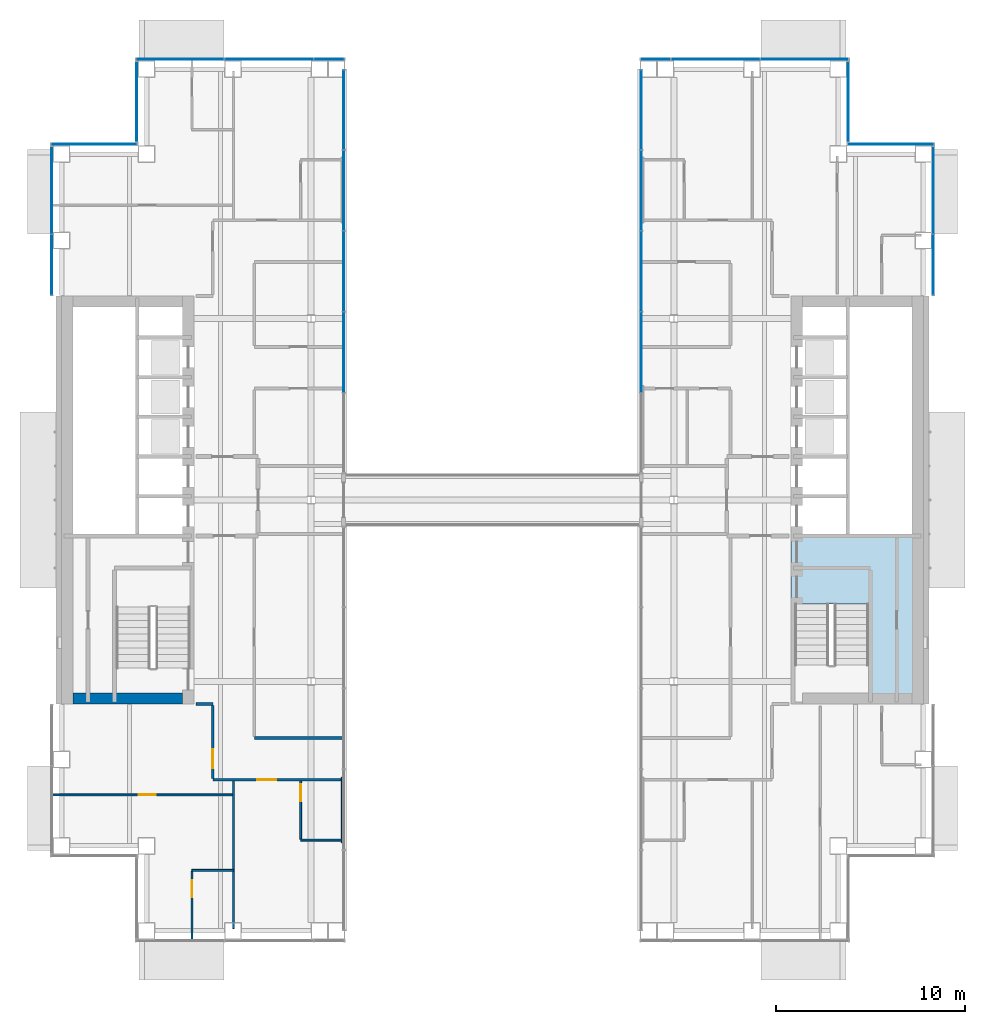
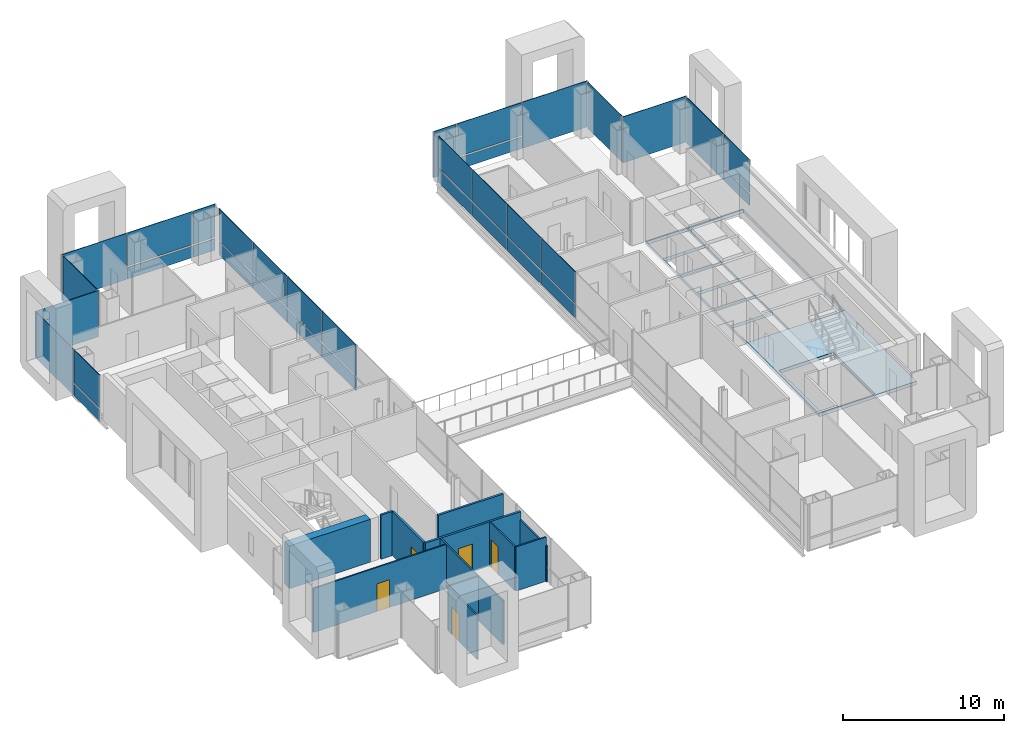
# One storey, part 11 of 20: 35 plates, 12 walls, 5 doors, 1 slab, 5 openings, 10 elements without a shape of their own.
"""IFC4 building model written with IfcOpenShell, lengths in metres."""

from ifc_helpers import new_model, si_unit, direction, frame, frame_2d, origin, origin_2d, place, context, subcontext, project, spatial, polyline, rectangle, outline, extrude, material, layer, layer_set, type_object, element, fill, aggregate, save


model = new_model("IFC4")

# Units and contexts
model_context = context("Model", 3, precision=1e-05, world=origin(), true_north=direction((0.0, 1.0)))
body_context = subcontext(model_context, "Body", "Model", "MODEL_VIEW")
ifc_project = project(units=[si_unit("LENGTHUNIT", "METRE"), si_unit("AREAUNIT", "SQUARE_METRE"), si_unit("VOLUMEUNIT", "CUBIC_METRE"), si_unit("PLANEANGLEUNIT", "RADIAN"), si_unit("MASSUNIT", "GRAM", prefix="KILO")], contexts=[model_context])

# Site, building, storey
site_placement = place(None, origin())
site = spatial("IfcSite", under=ifc_project, at=site_placement, CompositionType="ELEMENT")
building_placement = place(site_placement, origin())
building = spatial("IfcBuilding", under=site, at=building_placement, Name="Cobrizo Arcos Hotel Tower", CompositionType="ELEMENT")
storey_placement = place(building_placement, frame((0.0, 0.0, 124.0)))
storey = spatial("IfcBuildingStorey", under=building, at=storey_placement, Name="L31", CompositionType="ELEMENT", Elevation=124.0)

# Curtain wall, plate
ifc_material_1 = material(Name="Aluminium 6063-T6 anodised bronze", Category="aluminium")
curtain_wall_type_1 = type_object("IfcCurtainWallType", Name="CW-A guest facade", PredefinedType="NOTDEFINED", material=ifc_material_1)
curtain_wall_1_placement = place(storey_placement, origin())
curtain_wall_1 = element("IfcCurtainWall", 1, at=curtain_wall_1_placement, inside=storey, type_object=curtain_wall_type_1, Name="CW-A L31 E face", PredefinedType="NOTDEFINED")
ifc_material_2 = material(Name="Glass clear laminated low-e", Category="glass")
ifc_layer_1 = layer(ifc_material_2, 0.0400390625)
ifc_layer_set_1 = layer_set([ifc_layer_1], Name="CW-A glass panel")
plate_type_1 = type_object("IfcPlateType", Name="CW-A glass panel", PredefinedType="CURTAIN_PANEL", material=ifc_layer_set_1)
plate_1_placement = place(storey_placement, frame((23.324951171875, 12.4462890625, 0.990234375), z_axis=(0.0, 0.0, 1.0), x_axis=(0.0, 1.0, 0.0)))
plate_1 = element("IfcPlate", 2, at=plate_1_placement, type_object=plate_type_1, Name="CW-A glass panel 1173", PredefinedType="CURTAIN_PANEL", context=body_context, shape_type="SweptSolid", body=[
    extrude(rectangle(XDim=3.172607421875, YDim=0.0400390625, at=origin_2d()), origin(), (0.0, 0.0, 1.0), 2.510009765625),
])

curtain_wall_2_placement = place(storey_placement, origin())
curtain_wall_2 = element("IfcCurtainWall", 3, at=curtain_wall_2_placement, inside=storey, type_object=curtain_wall_type_1, Name="CW-A L31 N face", PredefinedType="NOTDEFINED")
plate_2_placement = place(storey_placement, frame((11.8125, 23.324951171875, 0.990234375), z_axis=(0.0, 0.0, 1.0), x_axis=(-1.0, 0.0, 0.0)))
plate_2 = element("IfcPlate", 4, at=plate_2_placement, type_object=plate_type_1, Name="CW-A glass panel 1178", PredefinedType="CURTAIN_PANEL", context=body_context, shape_type="SweptSolid", body=[
    extrude(rectangle(XDim=4.6650390625, YDim=0.0400390625, at=origin_2d()), origin(), (0.0, 0.0, 1.0), 2.510009765625),
])

# Curtain wall, plates
curtain_wall_3_placement = place(storey_placement, origin())
curtain_wall_3 = element("IfcCurtainWall", 5, at=curtain_wall_3_placement, inside=storey, type_object=curtain_wall_type_1, Name="CW-A L31 N face", PredefinedType="NOTDEFINED")
plate_3_placement = place(storey_placement, frame((-8.639892578125, 23.324951171875, 0.990234375), z_axis=(0.0, 0.0, 1.0), x_axis=(-1.0, 0.0, 0.0)))
plate_3 = element("IfcPlate", 6, at=plate_3_placement, type_object=plate_type_1, Name="CW-A glass panel 1180", PredefinedType="CURTAIN_PANEL", context=body_context, shape_type="SweptSolid", body=[
    extrude(rectangle(XDim=1.56005859375, YDim=0.0400390625, at=origin_2d()), origin(), (0.0, 0.0, 1.0), 2.510009765625),
])
plate_4_placement = place(storey_placement, frame((-11.8125, 23.324951171875, 0.990234375), z_axis=(0.0, 0.0, 1.0), x_axis=(-1.0, 0.0, 0.0)))
plate_4 = element("IfcPlate", 7, at=plate_4_placement, type_object=plate_type_1, Name="CW-A glass panel 1181", PredefinedType="CURTAIN_PANEL", context=body_context, shape_type="SweptSolid", body=[
    extrude(rectangle(XDim=4.6650390625, YDim=0.0400390625, at=origin_2d()), origin(), (0.0, 0.0, 1.0), 2.510009765625),
])

# Curtain wall, plate
curtain_wall_4_placement = place(storey_placement, origin())
curtain_wall_4 = element("IfcCurtainWall", 8, at=curtain_wall_4_placement, inside=storey, type_object=curtain_wall_type_1, Name="CW-A L31 W face", PredefinedType="NOTDEFINED")
plate_5_placement = place(storey_placement, frame((-23.324951171875, 12.4462890625, 0.990234375), z_axis=(0.0, 0.0, 1.0), x_axis=(0.0, -1.0, 0.0)))
plate_5 = element("IfcPlate", 9, at=plate_5_placement, type_object=plate_type_1, Name="CW-A glass panel 1186", PredefinedType="CURTAIN_PANEL", context=body_context, shape_type="SweptSolid", body=[
    extrude(rectangle(XDim=3.172607421875, YDim=0.0400390625, at=origin_2d()), origin(), (0.0, 0.0, 1.0), 2.510009765625),
])

# Plate
ifc_material_3 = material(Name="Aluminium composite panel pale metal", Category="aluminium")
ifc_layer_2 = layer(ifc_material_3, 0.0400390625)
ifc_layer_set_2 = layer_set([ifc_layer_2], Name="CW-A spandrel panel")
plate_type_2 = type_object("IfcPlateType", Name="CW-A spandrel panel", PredefinedType="CURTAIN_PANEL", material=ifc_layer_set_2)
plate_6_placement = place(storey_placement, frame((23.324951171875, 12.4462890625, 0.0), z_axis=(0.0, 0.0, 1.0), x_axis=(0.0, 1.0, 0.0)))
plate_6 = element("IfcPlate", 10, at=plate_6_placement, type_object=plate_type_2, Name="CW-A spandrel panel 1173", PredefinedType="CURTAIN_PANEL", context=body_context, shape_type="SweptSolid", body=[
    extrude(rectangle(XDim=3.172607421875, YDim=0.0400390625, at=origin_2d()), origin(), (0.0, 0.0, 1.0), 0.8701171875),
])

plate_7_placement = place(storey_placement, frame((23.324951171875, 16.391357421875, 0.0), z_axis=(0.0, 0.0, 1.0), x_axis=(0.0, 1.0, 0.0)))
plate_7 = element("IfcPlate", 11, at=plate_7_placement, type_object=plate_type_2, Name="CW-A spandrel panel 1174", PredefinedType="CURTAIN_PANEL", context=body_context, shape_type="SweptSolid", body=[
    extrude(rectangle(XDim=4.597412109375, YDim=0.0400390625, at=origin_2d()), origin(), (0.0, 0.0, 1.0), 3.5),
])

aggregate(curtain_wall_1, [plate_6, plate_1, plate_7])

# Curtain wall, plate
curtain_wall_5_placement = place(storey_placement, origin())
curtain_wall_5 = element("IfcCurtainWall", 12, at=curtain_wall_5_placement, inside=storey, type_object=curtain_wall_type_1, Name="CW-A L31 N face", PredefinedType="NOTDEFINED")
plate_8_placement = place(storey_placement, frame((21.074951171875, 18.824951171875, 0.0), z_axis=(0.0, 0.0, 1.0), x_axis=(-1.0, 0.0, 0.0)))
plate_8 = element("IfcPlate", 13, at=plate_8_placement, type_object=plate_type_2, Name="CW-A spandrel panel 1175", PredefinedType="CURTAIN_PANEL", context=body_context, shape_type="SweptSolid", body=[
    extrude(rectangle(XDim=4.530029296875, YDim=0.0400390625, at=origin_2d()), origin(), (0.0, 0.0, 1.0), 3.5),
])
aggregate(curtain_wall_5, [plate_8])

curtain_wall_6_placement = place(storey_placement, origin())
curtain_wall_6 = element("IfcCurtainWall", 14, at=curtain_wall_6_placement, inside=storey, type_object=curtain_wall_type_1, Name="CW-A L31 E face", PredefinedType="NOTDEFINED")
plate_9_placement = place(storey_placement, frame((18.824951171875, 21.074951171875, 0.0), z_axis=(0.0, 0.0, 1.0), x_axis=(0.0, 1.0, 0.0)))
plate_9 = element("IfcPlate", 15, at=plate_9_placement, type_object=plate_type_2, Name="CW-A spandrel panel 1176", PredefinedType="CURTAIN_PANEL", context=body_context, shape_type="SweptSolid", body=[
    extrude(rectangle(XDim=4.22998046875, YDim=0.0400390625, at=origin_2d()), origin(), (0.0, 0.0, 1.0), 3.5),
])
aggregate(curtain_wall_6, [plate_9])

# Plate
plate_10_placement = place(storey_placement, frame((16.5224609375, 23.324951171875, 0.0), z_axis=(0.0, 0.0, 1.0), x_axis=(-1.0, 0.0, 0.0)))
plate_10 = element("IfcPlate", 16, at=plate_10_placement, type_object=plate_type_2, Name="CW-A spandrel panel 1177", PredefinedType="CURTAIN_PANEL", context=body_context, shape_type="SweptSolid", body=[
    extrude(rectangle(XDim=4.635009765625, YDim=0.0400390625, at=origin_2d()), origin(), (0.0, 0.0, 1.0), 3.5),
])

plate_11_placement = place(storey_placement, frame((11.8125, 23.324951171875, 0.0), z_axis=(0.0, 0.0, 1.0), x_axis=(-1.0, 0.0, 0.0)))
plate_11 = element("IfcPlate", 17, at=plate_11_placement, type_object=plate_type_2, Name="CW-A spandrel panel 1178", PredefinedType="CURTAIN_PANEL", context=body_context, shape_type="SweptSolid", body=[
    extrude(rectangle(XDim=4.6650390625, YDim=0.0400390625, at=origin_2d()), origin(), (0.0, 0.0, 1.0), 0.8701171875),
])

plate_12_placement = place(storey_placement, frame((8.639892578125, 23.324951171875, 0.0), z_axis=(0.0, 0.0, 1.0), x_axis=(-1.0, 0.0, 0.0)))
plate_12 = element("IfcPlate", 18, at=plate_12_placement, type_object=plate_type_2, Name="CW-A spandrel panel 1179", PredefinedType="CURTAIN_PANEL", context=body_context, shape_type="SweptSolid", body=[
    extrude(rectangle(XDim=1.56005859375, YDim=0.0400390625, at=origin_2d()), origin(), (0.0, 0.0, 1.0), 3.5),
])

aggregate(curtain_wall_2, [plate_10, plate_11, plate_2, plate_12])

plate_13_placement = place(storey_placement, frame((-8.639892578125, 23.324951171875, 0.0), z_axis=(0.0, 0.0, 1.0), x_axis=(-1.0, 0.0, 0.0)))
plate_13 = element("IfcPlate", 19, at=plate_13_placement, type_object=plate_type_2, Name="CW-A spandrel panel 1180", PredefinedType="CURTAIN_PANEL", context=body_context, shape_type="SweptSolid", body=[
    extrude(rectangle(XDim=1.56005859375, YDim=0.0400390625, at=origin_2d()), origin(), (0.0, 0.0, 1.0), 0.8701171875),
])

plate_14_placement = place(storey_placement, frame((-11.8125, 23.324951171875, 0.0), z_axis=(0.0, 0.0, 1.0), x_axis=(-1.0, 0.0, 0.0)))
plate_14 = element("IfcPlate", 20, at=plate_14_placement, type_object=plate_type_2, Name="CW-A spandrel panel 1181", PredefinedType="CURTAIN_PANEL", context=body_context, shape_type="SweptSolid", body=[
    extrude(rectangle(XDim=4.6650390625, YDim=0.0400390625, at=origin_2d()), origin(), (0.0, 0.0, 1.0), 0.8701171875),
])

plate_15_placement = place(storey_placement, frame((-16.5224609375, 23.324951171875, 0.0), z_axis=(0.0, 0.0, 1.0), x_axis=(-1.0, 0.0, 0.0)))
plate_15 = element("IfcPlate", 21, at=plate_15_placement, type_object=plate_type_2, Name="CW-A spandrel panel 1182", PredefinedType="CURTAIN_PANEL", context=body_context, shape_type="SweptSolid", body=[
    extrude(rectangle(XDim=4.635009765625, YDim=0.0400390625, at=origin_2d()), origin(), (0.0, 0.0, 1.0), 3.5),
])

aggregate(curtain_wall_3, [plate_13, plate_3, plate_14, plate_4, plate_15])

# Curtain wall, plate
curtain_wall_7_placement = place(storey_placement, origin())
curtain_wall_7 = element("IfcCurtainWall", 22, at=curtain_wall_7_placement, inside=storey, type_object=curtain_wall_type_1, Name="CW-A L31 W face", PredefinedType="NOTDEFINED")
plate_16_placement = place(storey_placement, frame((-18.824951171875, 21.074951171875, 0.0), z_axis=(0.0, 0.0, 1.0), x_axis=(0.0, -1.0, 0.0)))
plate_16 = element("IfcPlate", 23, at=plate_16_placement, type_object=plate_type_2, Name="CW-A spandrel panel 1183", PredefinedType="CURTAIN_PANEL", context=body_context, shape_type="SweptSolid", body=[
    extrude(rectangle(XDim=4.22998046875, YDim=0.0400390625, at=origin_2d()), origin(), (0.0, 0.0, 1.0), 3.5),
])
aggregate(curtain_wall_7, [plate_16])

curtain_wall_8_placement = place(storey_placement, origin())
curtain_wall_8 = element("IfcCurtainWall", 24, at=curtain_wall_8_placement, inside=storey, type_object=curtain_wall_type_1, Name="CW-A L31 N face", PredefinedType="NOTDEFINED")
plate_17_placement = place(storey_placement, frame((-21.074951171875, 18.824951171875, 0.0), z_axis=(0.0, 0.0, 1.0), x_axis=(-1.0, 0.0, 0.0)))
plate_17 = element("IfcPlate", 25, at=plate_17_placement, type_object=plate_type_2, Name="CW-A spandrel panel 1184", PredefinedType="CURTAIN_PANEL", context=body_context, shape_type="SweptSolid", body=[
    extrude(rectangle(XDim=4.530029296875, YDim=0.0400390625, at=origin_2d()), origin(), (0.0, 0.0, 1.0), 3.5),
])
aggregate(curtain_wall_8, [plate_17])

# Plate
plate_18_placement = place(storey_placement, frame((-23.324951171875, 16.391357421875, 0.0), z_axis=(0.0, 0.0, 1.0), x_axis=(0.0, -1.0, 0.0)))
plate_18 = element("IfcPlate", 26, at=plate_18_placement, type_object=plate_type_2, Name="CW-A spandrel panel 1185", PredefinedType="CURTAIN_PANEL", context=body_context, shape_type="SweptSolid", body=[
    extrude(rectangle(XDim=4.597412109375, YDim=0.0400390625, at=origin_2d()), origin(), (0.0, 0.0, 1.0), 3.5),
])

plate_19_placement = place(storey_placement, frame((-23.324951171875, 12.4462890625, 0.0), z_axis=(0.0, 0.0, 1.0), x_axis=(0.0, -1.0, 0.0)))
plate_19 = element("IfcPlate", 27, at=plate_19_placement, type_object=plate_type_2, Name="CW-A spandrel panel 1186", PredefinedType="CURTAIN_PANEL", context=body_context, shape_type="SweptSolid", body=[
    extrude(rectangle(XDim=3.172607421875, YDim=0.0400390625, at=origin_2d()), origin(), (0.0, 0.0, 1.0), 0.8701171875),
])

aggregate(curtain_wall_4, [plate_18, plate_19, plate_5])

# Curtain wall, plates
curtain_wall_type_2 = type_object("IfcCurtainWallType", Name="CW-F void screen", PredefinedType="NOTDEFINED", material=ifc_material_1)
curtain_wall_9_placement = place(storey_placement, origin())
curtain_wall_9 = element("IfcCurtainWall", 28, at=curtain_wall_9_placement, inside=storey, type_object=curtain_wall_type_2, Name="CW-F L31 void screen B", PredefinedType="NOTDEFINED")
ifc_layer_3 = layer(ifc_material_2, 0.0400390625)
ifc_layer_set_3 = layer_set([ifc_layer_3], Name="CW-F glass panel")
plate_type_3 = type_object("IfcPlateType", Name="CW-F glass panel", PredefinedType="CURTAIN_PANEL", material=ifc_layer_set_3)
plate_20_placement = place(storey_placement, frame((7.875, 7.820068359375, 0.0), z_axis=(0.0, 0.0, 1.0), x_axis=(0.0, 1.0, 0.0)))
plate_20 = element("IfcPlate", 29, at=plate_20_placement, type_object=plate_type_3, Name="CW-F glass panel 2612", PredefinedType="CURTAIN_PANEL", context=body_context, shape_type="SweptSolid", body=[
    extrude(rectangle(XDim=4.219970703125, YDim=0.0400390625, at=origin_2d()), origin(), (0.0, 0.0, 1.0), 0.989990234375),
])
plate_21_placement = place(storey_placement, frame((7.875, 7.820068359375, 1.10986328125), z_axis=(0.0, 0.0, 1.0), x_axis=(0.0, 1.0, 0.0)))
plate_21 = element("IfcPlate", 30, at=plate_21_placement, type_object=plate_type_3, Name="CW-F glass panel 2612", PredefinedType="CURTAIN_PANEL", context=body_context, shape_type="SweptSolid", body=[
    extrude(rectangle(XDim=4.219970703125, YDim=0.0400390625, at=origin_2d()), origin(), (0.0, 0.0, 1.0), 2.389892578125),
])
plate_22_placement = place(storey_placement, frame((7.875, 12.10009765625, 0.0), z_axis=(0.0, 0.0, 1.0), x_axis=(0.0, 1.0, 0.0)))
plate_22 = element("IfcPlate", 31, at=plate_22_placement, type_object=plate_type_3, Name="CW-F glass panel 2613", PredefinedType="CURTAIN_PANEL", context=body_context, shape_type="SweptSolid", body=[
    extrude(rectangle(XDim=4.219970703125, YDim=0.0400390625, at=origin_2d()), origin(), (0.0, 0.0, 1.0), 0.989990234375),
])
plate_23_placement = place(storey_placement, frame((7.875, 12.10009765625, 1.10986328125), z_axis=(0.0, 0.0, 1.0), x_axis=(0.0, 1.0, 0.0)))
plate_23 = element("IfcPlate", 32, at=plate_23_placement, type_object=plate_type_3, Name="CW-F glass panel 2613", PredefinedType="CURTAIN_PANEL", context=body_context, shape_type="SweptSolid", body=[
    extrude(rectangle(XDim=4.219970703125, YDim=0.0400390625, at=origin_2d()), origin(), (0.0, 0.0, 1.0), 2.389892578125),
])
plate_24_placement = place(storey_placement, frame((7.875, 16.3798828125, 0.0), z_axis=(0.0, 0.0, 1.0), x_axis=(0.0, 1.0, 0.0)))
plate_24 = element("IfcPlate", 33, at=plate_24_placement, type_object=plate_type_3, Name="CW-F glass panel 2614", PredefinedType="CURTAIN_PANEL", context=body_context, shape_type="SweptSolid", body=[
    extrude(rectangle(XDim=4.219970703125, YDim=0.0400390625, at=origin_2d()), origin(), (0.0, 0.0, 1.0), 0.989990234375),
])
plate_25_placement = place(storey_placement, frame((7.875, 16.3798828125, 1.10986328125), z_axis=(0.0, 0.0, 1.0), x_axis=(0.0, 1.0, 0.0)))
plate_25 = element("IfcPlate", 34, at=plate_25_placement, type_object=plate_type_3, Name="CW-F glass panel 2614", PredefinedType="CURTAIN_PANEL", context=body_context, shape_type="SweptSolid", body=[
    extrude(rectangle(XDim=4.219970703125, YDim=0.0400390625, at=origin_2d()), origin(), (0.0, 0.0, 1.0), 2.389892578125),
])
plate_26_placement = place(storey_placement, frame((7.875, 20.64501953125, 0.0), z_axis=(0.0, 0.0, 1.0), x_axis=(0.0, 1.0, 0.0)))
plate_26 = element("IfcPlate", 35, at=plate_26_placement, type_object=plate_type_3, Name="CW-F glass panel 2615", PredefinedType="CURTAIN_PANEL", context=body_context, shape_type="SweptSolid", body=[
    extrude(rectangle(XDim=4.18994140625, YDim=0.0400390625, at=origin_2d()), origin(), (0.0, 0.0, 1.0), 0.989990234375),
])
plate_27_placement = place(storey_placement, frame((7.875, 20.64501953125, 1.10986328125), z_axis=(0.0, 0.0, 1.0), x_axis=(0.0, 1.0, 0.0)))
plate_27 = element("IfcPlate", 36, at=plate_27_placement, type_object=plate_type_3, Name="CW-F glass panel 2615", PredefinedType="CURTAIN_PANEL", context=body_context, shape_type="SweptSolid", body=[
    extrude(rectangle(XDim=4.18994140625, YDim=0.0400390625, at=origin_2d()), origin(), (0.0, 0.0, 1.0), 2.389892578125),
])
aggregate(curtain_wall_9, [plate_20, plate_21, plate_22, plate_23, plate_24, plate_25, plate_26, plate_27])

curtain_wall_10_placement = place(storey_placement, origin())
curtain_wall_10 = element("IfcCurtainWall", 37, at=curtain_wall_10_placement, inside=storey, type_object=curtain_wall_type_2, Name="CW-F L31 void screen B", PredefinedType="NOTDEFINED")
plate_28_placement = place(storey_placement, frame((-7.875, 20.64501953125, 0.0), z_axis=(0.0, 0.0, 1.0), x_axis=(0.0, -1.0, 0.0)))
plate_28 = element("IfcPlate", 38, at=plate_28_placement, type_object=plate_type_3, Name="CW-F glass panel 2616", PredefinedType="CURTAIN_PANEL", context=body_context, shape_type="SweptSolid", body=[
    extrude(rectangle(XDim=4.18994140625, YDim=0.0400390625, at=origin_2d()), origin(), (0.0, 0.0, 1.0), 0.989990234375),
])
plate_29_placement = place(storey_placement, frame((-7.875, 20.64501953125, 1.10986328125), z_axis=(0.0, 0.0, 1.0), x_axis=(0.0, -1.0, 0.0)))
plate_29 = element("IfcPlate", 39, at=plate_29_placement, type_object=plate_type_3, Name="CW-F glass panel 2616", PredefinedType="CURTAIN_PANEL", context=body_context, shape_type="SweptSolid", body=[
    extrude(rectangle(XDim=4.18994140625, YDim=0.0400390625, at=origin_2d()), origin(), (0.0, 0.0, 1.0), 2.389892578125),
])
plate_30_placement = place(storey_placement, frame((-7.875, 16.3798828125, 0.0), z_axis=(0.0, 0.0, 1.0), x_axis=(0.0, -1.0, 0.0)))
plate_30 = element("IfcPlate", 40, at=plate_30_placement, type_object=plate_type_3, Name="CW-F glass panel 2617", PredefinedType="CURTAIN_PANEL", context=body_context, shape_type="SweptSolid", body=[
    extrude(rectangle(XDim=4.219970703125, YDim=0.0400390625, at=origin_2d()), origin(), (0.0, 0.0, 1.0), 0.989990234375),
])
plate_31_placement = place(storey_placement, frame((-7.875, 16.3798828125, 1.10986328125), z_axis=(0.0, 0.0, 1.0), x_axis=(0.0, -1.0, 0.0)))
plate_31 = element("IfcPlate", 41, at=plate_31_placement, type_object=plate_type_3, Name="CW-F glass panel 2617", PredefinedType="CURTAIN_PANEL", context=body_context, shape_type="SweptSolid", body=[
    extrude(rectangle(XDim=4.219970703125, YDim=0.0400390625, at=origin_2d()), origin(), (0.0, 0.0, 1.0), 2.389892578125),
])
plate_32_placement = place(storey_placement, frame((-7.875, 12.10009765625, 0.0), z_axis=(0.0, 0.0, 1.0), x_axis=(0.0, -1.0, 0.0)))
plate_32 = element("IfcPlate", 42, at=plate_32_placement, type_object=plate_type_3, Name="CW-F glass panel 2618", PredefinedType="CURTAIN_PANEL", context=body_context, shape_type="SweptSolid", body=[
    extrude(rectangle(XDim=4.219970703125, YDim=0.0400390625, at=origin_2d()), origin(), (0.0, 0.0, 1.0), 0.989990234375),
])
plate_33_placement = place(storey_placement, frame((-7.875, 12.10009765625, 1.10986328125), z_axis=(0.0, 0.0, 1.0), x_axis=(0.0, -1.0, 0.0)))
plate_33 = element("IfcPlate", 43, at=plate_33_placement, type_object=plate_type_3, Name="CW-F glass panel 2618", PredefinedType="CURTAIN_PANEL", context=body_context, shape_type="SweptSolid", body=[
    extrude(rectangle(XDim=4.219970703125, YDim=0.0400390625, at=origin_2d()), origin(), (0.0, 0.0, 1.0), 2.389892578125),
])
plate_34_placement = place(storey_placement, frame((-7.875, 7.820068359375, 0.0), z_axis=(0.0, 0.0, 1.0), x_axis=(0.0, -1.0, 0.0)))
plate_34 = element("IfcPlate", 44, at=plate_34_placement, type_object=plate_type_3, Name="CW-F glass panel 2619", PredefinedType="CURTAIN_PANEL", context=body_context, shape_type="SweptSolid", body=[
    extrude(rectangle(XDim=4.219970703125, YDim=0.0400390625, at=origin_2d()), origin(), (0.0, 0.0, 1.0), 0.989990234375),
])
plate_35_placement = place(storey_placement, frame((-7.875, 7.820068359375, 1.10986328125), z_axis=(0.0, 0.0, 1.0), x_axis=(0.0, -1.0, 0.0)))
plate_35 = element("IfcPlate", 45, at=plate_35_placement, type_object=plate_type_3, Name="CW-F glass panel 2619", PredefinedType="CURTAIN_PANEL", context=body_context, shape_type="SweptSolid", body=[
    extrude(rectangle(XDim=4.219970703125, YDim=0.0400390625, at=origin_2d()), origin(), (0.0, 0.0, 1.0), 2.389892578125),
])
aggregate(curtain_wall_10, [plate_28, plate_29, plate_30, plate_31, plate_32, plate_33, plate_34, plate_35])

# Slab
ifc_material_4 = material(Name="Concrete f'c 50 MPa", Category="concrete")
ifc_layer_4 = layer(ifc_material_4, 0.25)
ifc_layer_set_4 = layer_set([ifc_layer_4], Name="RC core floor slab 250 f'c 50")
slab_type = type_object("IfcSlabType", Name="RC core floor slab 250 f'c 50", PredefinedType="FLOOR", material=ifc_layer_set_4)
slab_placement = place(storey_placement, frame((0.0, 0.0, -0.25)))
element("IfcSlab", 46, at=slab_placement, inside=storey, type_object=slab_type, Name="Core floor slab CS5, east core, L31", PredefinedType="FLOOR", context=body_context, shape_type="SweptSolid", body=[
    extrude(outline(polyline([(15.800048828125, 10.800048828125), (22.800048828125, 10.800048828125), (22.800048828125, -10.800048828125), (15.800048828125, -10.800048828125), (15.800048828125, 10.800048828125)]), holes=[polyline([(19.89794921875, -10.697998046875), (19.89794921875, -5.501953125), (16.001953125, -5.501953125), (16.001953125, -10.697998046875), (19.89794921875, -10.697998046875)]), polyline([(15.802001953125, 0.197998046875), (15.802001953125, -1.89794921875), (18.798095703125, -1.89794921875), (18.798095703125, 0.197998046875), (15.802001953125, 0.197998046875)]), polyline([(18.798095703125, 2.298095703125), (15.802001953125, 2.298095703125), (15.802001953125, 0.201904296875), (18.798095703125, 0.201904296875), (18.798095703125, 2.298095703125)]), polyline([(18.798095703125, 4.39794921875), (15.802001953125, 4.39794921875), (15.802001953125, 2.302001953125), (18.798095703125, 2.302001953125), (18.798095703125, 4.39794921875)]), polyline([(22.798095703125, 10.697998046875), (18.802001953125, 10.697998046875), (18.802001953125, -1.89794921875), (22.798095703125, -1.89794921875), (22.798095703125, 10.697998046875)]), polyline([(18.798095703125, 6.498046875), (15.802001953125, 6.498046875), (15.802001953125, 4.402099609375), (18.798095703125, 4.402099609375), (18.798095703125, 6.498046875)]), polyline([(18.798095703125, 8.597900390625), (15.802001953125, 8.597900390625), (15.802001953125, 6.501953125), (18.798095703125, 6.501953125), (18.798095703125, 8.597900390625)]), polyline([(18.798095703125, 10.697998046875), (15.802001953125, 10.697998046875), (15.802001953125, 8.60205078125), (18.798095703125, 8.60205078125), (18.798095703125, 10.697998046875)])]), origin(), (0.0, 0.0, 1.0), 0.25),
])

# Wall, opening, door
ifc_material_5 = material(Name="Gypsum board partition")
ifc_layer_5 = layer(ifc_material_5, 0.14990234375)
ifc_layer_set_5 = layer_set([ifc_layer_5], Name="Corridor wall EI 60 150")
wall_type_1 = type_object("IfcWallType", Name="Corridor wall EI 60 150", PredefinedType="PARTITIONING", material=ifc_layer_set_5)
wall_1_placement = place(storey_placement, frame((-14.800048828125, -14.800048828125, 0.0), z_axis=(0.0, 0.0, 1.0), x_axis=(1.0, 0.0, 0.0)))
wall_1 = element("IfcWall", 47, at=wall_1_placement, inside=storey, type_object=wall_type_1, Name="Partition 005", PredefinedType="PARTITIONING", context=body_context, shape_type="SweptSolid", body=[
    extrude(rectangle(XDim=6.85009765625, YDim=0.14990234375, at=frame_2d((3.425048828125, 0.0))), origin(), (0.0, 0.0, 1.0), 3.35009765625),
])
opening_1_placement = place(wall_1_placement, frame((2.363037109375, 0.0, 0.0)))
opening_1 = element("IfcOpeningElement", 48, at=opening_1_placement, cuts=wall_1, Name="Opening GD-04", PredefinedType="OPENING", context=body_context, shape_type="SweptSolid", body=[
    extrude(rectangle(XDim=1.0, YDim=2.10009765625, at=frame_2d((0.5, 1.050048828125))), frame((0.0, 0.0869140625, 0.0), z_axis=(0.0, -1.0, 0.0), x_axis=(1.0, 0.0, 0.0)), (0.0, 0.0, 1.0), 0.173828125),
])
ifc_material_6 = material(Name="Timber door leaf", Category="wood")
door_type_1 = type_object("IfcDoorType", Name="Guest room door FD30S 1000x2100", OperationType="SINGLE_SWING_LEFT", PredefinedType="DOOR", material=ifc_material_6)
door_1_placement = place(opening_1_placement, origin())
door_1 = element("IfcDoor", 49, at=door_1_placement, inside=storey, type_object=door_type_1, Name="Door GD-04", OperationType="SINGLE_SWING_RIGHT", OverallHeight=2.10009765625, OverallWidth=1.0, PredefinedType="DOOR", context=body_context, shape_type="SweptSolid", body=[
    extrude(rectangle(XDim=1.0, YDim=2.10009765625, at=frame_2d((0.5, 1.050048828125))), frame((0.0, 0.02490234375, 0.0), z_axis=(0.0, -1.0, 0.0), x_axis=(1.0, 0.0, 0.0)), (0.0, 0.0, 1.0), 0.050048828125),
])
fill(opening_1, door_1)

# Walls
wall_2_placement = place(storey_placement, frame((-12.60009765625, -12.60009765625, 0.0), z_axis=(0.0, 0.0, 1.0), x_axis=(1.0, 0.0, 0.0)))
element("IfcWall", 50, at=wall_2_placement, inside=storey, type_object=wall_type_1, Name="Partition 008", PredefinedType="PARTITIONING", context=body_context, shape_type="SweptSolid", body=[
    extrude(rectangle(XDim=4.68017578125, YDim=0.14990234375, at=frame_2d((2.340087890625, 0.0))), origin(), (0.0, 0.0, 1.0), 3.35009765625),
])
wall_3_placement = place(storey_placement, frame((-15.679931640625, -10.800048828125, 0.0), z_axis=(0.0, 0.0, 1.0), x_axis=(1.0, 0.0, 0.0)))
element("IfcWall", 51, at=wall_3_placement, inside=storey, type_object=wall_type_1, Name="Partition 010", PredefinedType="PARTITIONING", context=body_context, shape_type="SweptSolid", body=[
    extrude(rectangle(XDim=0.8798828125, YDim=0.14990234375, at=frame_2d((0.43994140625, 0.0))), origin(), (0.0, 0.0, 1.0), 3.35009765625),
])

# Wall, opening, door
wall_4_placement = place(storey_placement, frame((-14.800048828125, -14.72509765625, 0.0), z_axis=(0.0, 0.0, 1.0), x_axis=(0.0, 1.0, 0.0)))
wall_4 = element("IfcWall", 52, at=wall_4_placement, inside=storey, type_object=wall_type_1, Name="Partition 054", PredefinedType="PARTITIONING", context=body_context, shape_type="SweptSolid", body=[
    extrude(rectangle(XDim=3.85009765625, YDim=0.14990234375, at=frame_2d((1.925048828125, 0.0))), origin(), (0.0, 0.0, 1.0), 3.35009765625),
])
opening_2_placement = place(wall_4_placement, frame((0.52490234375, 0.0, 0.0)))
opening_2 = element("IfcOpeningElement", 53, at=opening_2_placement, cuts=wall_4, Name="Opening GD-05", PredefinedType="OPENING", context=body_context, shape_type="SweptSolid", body=[
    extrude(rectangle(XDim=1.0, YDim=2.10009765625, at=frame_2d((0.5, 1.050048828125))), frame((0.0, 0.0869140625, 0.0), z_axis=(0.0, -1.0, 0.0), x_axis=(1.0, 0.0, 0.0)), (0.0, 0.0, 1.0), 0.173828125),
])
door_2_placement = place(opening_2_placement, origin())
door_2 = element("IfcDoor", 54, at=door_2_placement, inside=storey, type_object=door_type_1, Name="Door GD-05", OperationType="SINGLE_SWING_LEFT", OverallHeight=2.10009765625, OverallWidth=1.0, PredefinedType="DOOR", context=body_context, shape_type="SweptSolid", body=[
    extrude(rectangle(XDim=1.0, YDim=2.10009765625, at=frame_2d((0.5, 1.050048828125))), frame((0.0, 0.02490234375, 0.0), z_axis=(0.0, -1.0, 0.0), x_axis=(1.0, 0.0, 0.0)), (0.0, 0.0, 1.0), 0.050048828125),
])
fill(opening_2, door_2)

# Walls
ifc_layer_6 = layer(ifc_material_5, 0.10009765625)
ifc_layer_set_6 = layer_set([ifc_layer_6], Name="Partition EI 30 100")
wall_type_2 = type_object("IfcWallType", Name="Partition EI 30 100", PredefinedType="PARTITIONING", material=ifc_layer_set_6)
for number, where, z_axis, x_axis, name in (
    (55, (-15.89990234375, -19.60009765625, 0.0), (0.0, 0.0, 1.0), (1.0, 0.0, 0.0), "Partition 001"),
    (56, (-10.14990234375, -18.0, 0.0), (0.0, 0.0, 1.0), (1.0, 0.0, 0.0), "Partition 002"),
):
    element("IfcWall", number, at=place(storey_placement, frame(where, z_axis=z_axis, x_axis=x_axis)), inside=storey, type_object=wall_type_2, Name=name, PredefinedType="PARTITIONING", context=body_context, shape_type="SweptSolid", body=[
        extrude(rectangle(XDim=2.199951171875, YDim=0.10009765625, at=frame_2d((1.10009765625, 0.0))), origin(), (0.0, 0.0, 1.0), 3.35009765625),
    ])

# Wall, opening, door
wall_5_placement = place(storey_placement, frame((-23.280029296875, -15.60009765625, 0.0), z_axis=(0.0, 0.0, 1.0), x_axis=(1.0, 0.0, 0.0)))
wall_5 = element("IfcWall", 57, at=wall_5_placement, inside=storey, type_object=wall_type_2, Name="Partition 004", PredefinedType="PARTITIONING", context=body_context, shape_type="SweptSolid", body=[
    extrude(rectangle(XDim=9.580078125, YDim=0.10009765625, at=frame_2d((4.7900390625, 0.0))), origin(), (0.0, 0.0, 1.0), 3.35009765625),
])
opening_3_placement = place(wall_5_placement, frame((4.568115234375, 0.0, 0.0)))
opening_3 = element("IfcOpeningElement", 58, at=opening_3_placement, cuts=wall_5, Name="Opening RD-02", PredefinedType="OPENING", context=body_context, shape_type="SweptSolid", body=[
    extrude(rectangle(XDim=0.89990234375, YDim=2.10009765625, at=frame_2d((0.449951171875, 1.050048828125))), frame((0.0, 0.06201171875, 0.0), z_axis=(0.0, -1.0, 0.0), x_axis=(1.0, 0.0, 0.0)), (0.0, 0.0, 1.0), 0.1240234375),
])
door_type_2 = type_object("IfcDoorType", Name="Room door FD30 900x2100", OperationType="SINGLE_SWING_LEFT", PredefinedType="DOOR", material=ifc_material_6)
door_3_placement = place(opening_3_placement, origin())
door_3 = element("IfcDoor", 59, at=door_3_placement, inside=storey, type_object=door_type_2, Name="Door RD-02", OperationType="SINGLE_SWING_RIGHT", OverallHeight=2.10009765625, OverallWidth=0.89990234375, PredefinedType="DOOR", context=body_context, shape_type="SweptSolid", body=[
    extrude(rectangle(XDim=0.89990234375, YDim=2.10009765625, at=frame_2d((0.449951171875, 1.050048828125))), frame((0.0, 0.02490234375, 0.0), z_axis=(0.0, -1.0, 0.0), x_axis=(1.0, 0.0, 0.0)), (0.0, 0.0, 1.0), 0.050048828125),
])
fill(opening_3, door_3)

wall_6_placement = place(storey_placement, frame((-15.89990234375, -23.280029296875, 0.0), z_axis=(0.0, 0.0, 1.0), x_axis=(0.0, 1.0, 0.0)))
wall_6 = element("IfcWall", 60, at=wall_6_placement, inside=storey, type_object=wall_type_2, Name="Partition 052", PredefinedType="PARTITIONING", context=body_context, shape_type="SweptSolid", body=[
    extrude(rectangle(XDim=3.630126953125, YDim=0.10009765625, at=frame_2d((1.81494140625, 0.0))), origin(), (0.0, 0.0, 1.0), 3.35009765625),
])
opening_4_placement = place(wall_6_placement, frame((2.27001953125, 0.0, 0.0)))
opening_4 = element("IfcOpeningElement", 61, at=opening_4_placement, cuts=wall_6, Name="Opening ED-06", PredefinedType="OPENING", context=body_context, shape_type="SweptSolid", body=[
    extrude(rectangle(XDim=0.89990234375, YDim=2.10009765625, at=frame_2d((0.449951171875, 1.050048828125))), frame((0.0, 0.06201171875, 0.0), z_axis=(0.0, -1.0, 0.0), x_axis=(1.0, 0.0, 0.0)), (0.0, 0.0, 1.0), 0.1240234375),
])
door_type_3 = type_object("IfcDoorType", Name="En-suite door 900x2100", OperationType="SINGLE_SWING_LEFT", PredefinedType="DOOR", material=ifc_material_6)
door_4_placement = place(opening_4_placement, origin())
door_4 = element("IfcDoor", 62, at=door_4_placement, inside=storey, type_object=door_type_3, Name="Door ED-06", OperationType="SINGLE_SWING_RIGHT", OverallHeight=2.10009765625, OverallWidth=0.89990234375, PredefinedType="DOOR", context=body_context, shape_type="SweptSolid", body=[
    extrude(rectangle(XDim=0.89990234375, YDim=2.10009765625, at=frame_2d((0.449951171875, 1.050048828125))), frame((0.0, 0.02490234375, 0.0), z_axis=(0.0, -1.0, 0.0), x_axis=(1.0, 0.0, 0.0)), (0.0, 0.0, 1.0), 0.050048828125),
])
fill(opening_4, door_4)

# Wall
wall_7_placement = place(storey_placement, frame((-13.699951171875, -22.679931640625, 0.0), z_axis=(0.0, 0.0, 1.0), x_axis=(0.0, 1.0, 0.0)))
element("IfcWall", 63, at=wall_7_placement, inside=storey, type_object=wall_type_2, Name="Partition 056", PredefinedType="PARTITIONING", context=body_context, shape_type="SweptSolid", body=[
    extrude(rectangle(XDim=7.804931640625, YDim=0.10009765625, at=frame_2d((3.90234375, 0.0))), origin(), (0.0, 0.0, 1.0), 3.35009765625),
])

# Wall, opening, door
wall_8_placement = place(storey_placement, frame((-10.14990234375, -17.949951171875, 0.0), z_axis=(0.0, 0.0, 1.0), x_axis=(0.0, 1.0, 0.0)))
wall_8 = element("IfcWall", 64, at=wall_8_placement, inside=storey, type_object=wall_type_2, Name="Partition 062", PredefinedType="PARTITIONING", context=body_context, shape_type="SweptSolid", body=[
    extrude(rectangle(XDim=3.074951171875, YDim=0.10009765625, at=frame_2d((1.53759765625, 0.0))), origin(), (0.0, 0.0, 1.0), 3.35009765625),
])
opening_5_placement = place(wall_8_placement, frame((1.99609375, 0.0, 0.0)))
opening_5 = element("IfcOpeningElement", 65, at=opening_5_placement, cuts=wall_8, Name="Opening ED-05", PredefinedType="OPENING", context=body_context, shape_type="SweptSolid", body=[
    extrude(rectangle(XDim=0.89990234375, YDim=2.10009765625, at=frame_2d((0.449951171875, 1.050048828125))), frame((0.0, 0.06201171875, 0.0), z_axis=(0.0, -1.0, 0.0), x_axis=(1.0, 0.0, 0.0)), (0.0, 0.0, 1.0), 0.1240234375),
])
door_5_placement = place(opening_5_placement, origin())
door_5 = element("IfcDoor", 66, at=door_5_placement, inside=storey, type_object=door_type_3, Name="Door ED-05", OperationType="SINGLE_SWING_LEFT", OverallHeight=2.10009765625, OverallWidth=0.89990234375, PredefinedType="DOOR", context=body_context, shape_type="SweptSolid", body=[
    extrude(rectangle(XDim=0.89990234375, YDim=2.10009765625, at=frame_2d((0.449951171875, 1.050048828125))), frame((0.0, 0.02490234375, 0.0), z_axis=(0.0, -1.0, 0.0), x_axis=(1.0, 0.0, 0.0)), (0.0, 0.0, 1.0), 0.050048828125),
])
fill(opening_5, door_5)

# Walls
wall_9_placement = place(storey_placement, frame((-7.949951171875, -18.139892578125, 0.0), z_axis=(0.0, 0.0, 1.0), x_axis=(0.0, 1.0, 0.0)))
element("IfcWall", 67, at=wall_9_placement, inside=storey, type_object=wall_type_2, Name="Partition 064", PredefinedType="PARTITIONING", context=body_context, shape_type="SweptSolid", body=[
    extrude(rectangle(XDim=3.47998046875, YDim=0.10009765625, at=frame_2d((1.739990234375, 0.0))), origin(), (0.0, 0.0, 1.0), 2.73291015625),
])
ifc_layer_7 = layer(ifc_material_4, 0.60009765625)
ifc_layer_set_7 = layer_set([ifc_layer_7], Name="RC core wall 600 f'c 50")
wall_type_3 = type_object("IfcWallType", Name="RC core wall 600 f'c 50", PredefinedType="SHEAR", material=ifc_layer_set_7)
wall_10_placement = place(storey_placement, frame((-22.199951171875, -10.5, 0.0), z_axis=(0.0, 0.0, 1.0), x_axis=(1.0, 0.0, 0.0)))
element("IfcWall", 68, at=wall_10_placement, inside=storey, type_object=wall_type_3, Name="Core wall CW2, west core, south end, L31", PredefinedType="SHEAR", context=body_context, shape_type="SweptSolid", body=[
    extrude(rectangle(XDim=5.800048828125, YDim=0.60009765625, at=frame_2d((2.89990234375, 0.0))), origin(), (0.0, 0.0, 1.0), 3.25),
])

save(model, "model.ifc")
